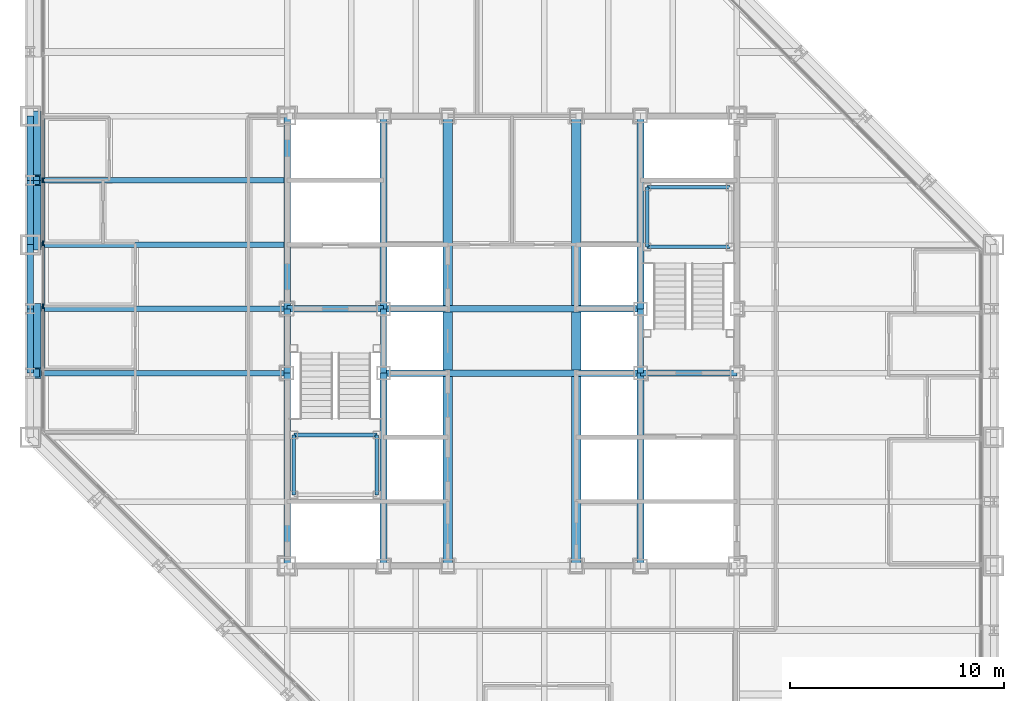
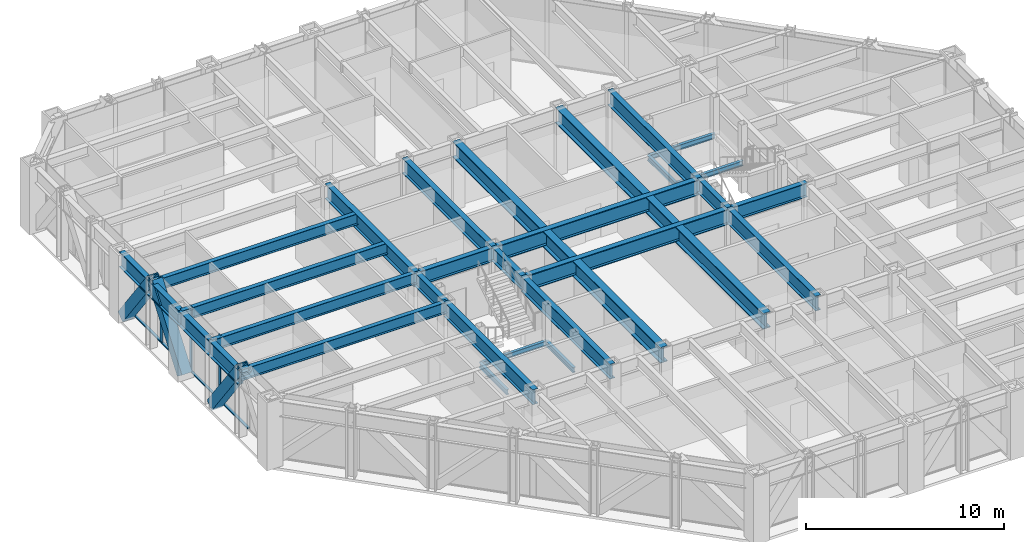
# One storey, part 5 of 16: 33 beams, 10 members, 1 element without a shape of its own.
"""IFC4 building model written with IfcOpenShell, lengths in metres."""

from ifc_helpers import new_model, si_unit, direction, frame, origin, origin_2d, place, context, subcontext, project, spatial, rectangle, hollow_rectangle, i_section, extrude, material, layer, layer_set, material_profile, profile_set, type_object, element, aggregate, save


model = new_model("IFC4")

# Units and contexts
model_context = context("Model", 3, precision=1e-05, world=origin(), true_north=direction((0.0, 1.0)))
body_context = subcontext(model_context, "Body", "Model", "MODEL_VIEW")
ifc_project = project(units=[si_unit("LENGTHUNIT", "METRE"), si_unit("AREAUNIT", "SQUARE_METRE"), si_unit("VOLUMEUNIT", "CUBIC_METRE"), si_unit("PLANEANGLEUNIT", "RADIAN"), si_unit("MASSUNIT", "GRAM", prefix="KILO")], contexts=[model_context])

# Site, building, storey
site_placement = place(None, origin())
site = spatial("IfcSite", under=ifc_project, at=site_placement, CompositionType="ELEMENT")
building_placement = place(site_placement, origin())
building = spatial("IfcBuilding", under=site, at=building_placement, Name="Chuquiago Exchange Tower", CompositionType="ELEMENT")
storey_placement = place(building_placement, frame((0.0, 0.0, 157.199951171875)))
storey = spatial("IfcBuildingStorey", under=building, at=storey_placement, Name="L34", CompositionType="ELEMENT", Elevation=157.199951171875)

# Beams
ifc_material_1 = material(Name="Steel ASTM A992", Category="steel")
ifc_material_profile_1 = material_profile(ifc_material_1, i_section(OverallWidth=0.25390625, OverallDepth=0.683349609375, WebThickness=0.012451171875, FlangeThickness=0.018798828125, at=origin_2d()), Name="W27X94")
ifc_profile_set_1 = profile_set([ifc_material_profile_1], Name="Steel ASTM A992")
beam_type_1 = type_object("IfcBeamType", Name="B1 W27X94", PredefinedType="BEAM", material=ifc_profile_set_1)
for number, where, z_axis, x_axis, name in (
    (1, (12.0, 21.0, 3.698486328125), (-1.0, 0.0, 0.0), (0.0, -1.0, 0.0), "FB-L35-infill-12_21--0_21-0"),
    (2, (12.0, 24.0, 3.698486328125), (-1.0, 0.0, 0.0), (0.0, -1.0, 0.0), "FB-L35-infill-12_24--0_24-0"),
    (3, (12.0, 27.0, 3.698486328125), (-1.0, 0.0, 0.0), (0.0, -1.0, 0.0), "FB-L35-infill-12_27--0_27-0"),
    (4, (12.0, 30.0, 3.698486328125), (-1.0, 0.0, 0.0), (0.0, -1.0, 0.0), "FB-L35-infill-12_30--0_30-0"),
):
    element("IfcBeam", number, at=place(storey_placement, frame(where, z_axis=z_axis, x_axis=x_axis)), inside=storey, type_object=beam_type_1, Name=name, PredefinedType="BEAM", context=body_context, shape_type="SweptSolid", body=[
        extrude(i_section(OverallWidth=0.25390625, OverallDepth=0.683349609375, WebThickness=0.012451171875, FlangeThickness=0.018798828125, at=origin_2d()), origin(), (0.0, 0.0, 1.0), 12.0),
    ])
ifc_material_2 = material(Name="Steel ASTM A992", Category="steel")
ifc_material_profile_2 = material_profile(ifc_material_2, i_section(OverallWidth=0.307373046875, OverallDepth=0.927001953125, WebThickness=0.01953125, FlangeThickness=0.031982421875, at=origin_2d()), Name="W36X194")
ifc_profile_set_2 = profile_set([ifc_material_profile_2], Name="Steel ASTM A992")
beam_type_2 = type_object("IfcBeamType", Name="B10 W36X194", PredefinedType="BEAM", material=ifc_profile_set_2)
for number, where, z_axis, x_axis, name in (
    (5, (12.0, 12.0, 3.57666015625), (0.0, 1.0, 0.0), (-1.0, 0.0, 0.0), "CB-L35-12_12-12_21"),
    (6, (12.0, 24.0, 3.57666015625), (0.0, 1.0, 0.0), (-1.0, 0.0, 0.0), "CB-L35-12_24-12_33"),
    (7, (16.5, 12.0, 3.57666015625), (0.0, 1.0, 0.0), (-1.0, 0.0, 0.0), "CB-L35-16.5_12-16.5_21"),
    (8, (16.5, 24.0, 3.57666015625), (0.0, 1.0, 0.0), (-1.0, 0.0, 0.0), "CB-L35-16.5_24-16.5_33"),
    (9, (28.5, 12.0, 3.57666015625), (0.0, 1.0, 0.0), (-1.0, 0.0, 0.0), "CB-L35-28.5_12-28.5_21"),
    (10, (28.5, 24.0, 3.57666015625), (0.0, 1.0, 0.0), (-1.0, 0.0, 0.0), "CB-L35-28.5_24-28.5_33"),
):
    element("IfcBeam", number, at=place(storey_placement, frame(where, z_axis=z_axis, x_axis=x_axis)), inside=storey, type_object=beam_type_2, Name=name, PredefinedType="BEAM", context=body_context, shape_type="SweptSolid", body=[
        extrude(i_section(OverallWidth=0.307373046875, OverallDepth=0.927001953125, WebThickness=0.01953125, FlangeThickness=0.031982421875, at=origin_2d()), origin(), (0.0, 0.0, 1.0), 9.0),
    ])
ifc_material_3 = material(Name="Steel ASTM A992", Category="steel")
ifc_material_profile_3 = material_profile(ifc_material_3, i_section(OverallWidth=0.309814453125, OverallDepth=0.949951171875, WebThickness=0.0244140625, FlangeThickness=0.0439453125, at=origin_2d()), Name="W36X256")
ifc_profile_set_3 = profile_set([ifc_material_profile_3], Name="Steel ASTM A992")
beam_type_3 = type_object("IfcBeamType", Name="B11 W36X256", PredefinedType="BEAM", material=ifc_profile_set_3)
for number, where, z_axis, x_axis, name in (
    (11, (16.5, 21.0, 3.56494140625), (1.0, 0.0, 0.0), (0.0, 1.0, 0.0), "CB-L35-16.5_21-28.5_21"),
    (12, (16.5, 24.0, 3.56494140625), (1.0, 0.0, 0.0), (0.0, 1.0, 0.0), "CB-L35-16.5_24-28.5_24"),
):
    element("IfcBeam", number, at=place(storey_placement, frame(where, z_axis=z_axis, x_axis=x_axis)), inside=storey, type_object=beam_type_3, Name=name, PredefinedType="BEAM", context=body_context, shape_type="SweptSolid", body=[
        extrude(i_section(OverallWidth=0.309814453125, OverallDepth=0.949951171875, WebThickness=0.0244140625, FlangeThickness=0.0439453125, at=origin_2d()), origin(), (0.0, 0.0, 1.0), 12.0),
    ])
ifc_material_4 = material(Name="Steel ASTM A992", Category="steel")
ifc_material_profile_4 = material_profile(ifc_material_4, i_section(OverallWidth=0.4267578125, OverallDepth=0.975341796875, WebThickness=0.031005859375, FlangeThickness=0.055908203125, at=origin_2d()), Name="W36X395")
ifc_profile_set_4 = profile_set([ifc_material_profile_4], Name="Steel ASTM A992")
beam_type_4 = type_object("IfcBeamType", Name="B12 W36X395", PredefinedType="BEAM", material=ifc_profile_set_4)
beam_1_placement = place(storey_placement, frame((19.5, 12.0, 3.55224609375), z_axis=(0.0, 1.0, 0.0), x_axis=(-1.0, 0.0, 0.0)))
element("IfcBeam", 13, at=beam_1_placement, inside=storey, type_object=beam_type_4, Name="CB-L35-19.5_12-19.5_20.8451", PredefinedType="BEAM", context=body_context, shape_type="SweptSolid", body=[
    extrude(i_section(OverallWidth=0.4267578125, OverallDepth=0.975341796875, WebThickness=0.031005859375, FlangeThickness=0.055908203125, at=origin_2d()), origin(), (0.0, 0.0, 1.0), 8.84521484375),
])
beam_2_placement = place(storey_placement, frame((19.5, 21.15478515625, 3.55224609375), z_axis=(0.0, 1.0, 0.0), x_axis=(-1.0, 0.0, 0.0)))
element("IfcBeam", 14, at=beam_2_placement, inside=storey, type_object=beam_type_4, Name="CB-L35-19.5_21.1549-19.5_23.8451", PredefinedType="BEAM", context=body_context, shape_type="SweptSolid", body=[
    extrude(i_section(OverallWidth=0.4267578125, OverallDepth=0.975341796875, WebThickness=0.031005859375, FlangeThickness=0.055908203125, at=origin_2d()), origin(), (0.0, 0.0, 1.0), 2.6904296875),
])
for number, where, z_axis, x_axis, name in (
    (15, (19.5, 24.15478515625, 3.55224609375), (0.0, 1.0, 0.0), (-1.0, 0.0, 0.0), "CB-L35-19.5_24.1549-19.5_33"),
    (16, (25.5, 12.0, 3.55224609375), (0.0, 1.0, 0.0), (-1.0, 0.0, 0.0), "CB-L35-25.5_12-25.5_20.8451"),
):
    element("IfcBeam", number, at=place(storey_placement, frame(where, z_axis=z_axis, x_axis=x_axis)), inside=storey, type_object=beam_type_4, Name=name, PredefinedType="BEAM", context=body_context, shape_type="SweptSolid", body=[
        extrude(i_section(OverallWidth=0.4267578125, OverallDepth=0.975341796875, WebThickness=0.031005859375, FlangeThickness=0.055908203125, at=origin_2d()), origin(), (0.0, 0.0, 1.0), 8.84521484375),
    ])
beam_3_placement = place(storey_placement, frame((25.5, 21.15478515625, 3.55224609375), z_axis=(0.0, 1.0, 0.0), x_axis=(-1.0, 0.0, 0.0)))
element("IfcBeam", 17, at=beam_3_placement, inside=storey, type_object=beam_type_4, Name="CB-L35-25.5_21.1549-25.5_23.8451", PredefinedType="BEAM", context=body_context, shape_type="SweptSolid", body=[
    extrude(i_section(OverallWidth=0.4267578125, OverallDepth=0.975341796875, WebThickness=0.031005859375, FlangeThickness=0.055908203125, at=origin_2d()), origin(), (0.0, 0.0, 1.0), 2.6904296875),
])
beam_4_placement = place(storey_placement, frame((25.5, 24.15478515625, 3.55224609375), z_axis=(0.0, 1.0, 0.0), x_axis=(-1.0, 0.0, 0.0)))
element("IfcBeam", 18, at=beam_4_placement, inside=storey, type_object=beam_type_4, Name="CB-L35-25.5_24.1549-25.5_33", PredefinedType="BEAM", context=body_context, shape_type="SweptSolid", body=[
    extrude(i_section(OverallWidth=0.4267578125, OverallDepth=0.975341796875, WebThickness=0.031005859375, FlangeThickness=0.055908203125, at=origin_2d()), origin(), (0.0, 0.0, 1.0), 8.84521484375),
])
ifc_material_5 = material(Name="Steel ASTM A992", Category="steel")
ifc_material_profile_5 = material_profile(ifc_material_5, i_section(OverallWidth=0.2919921875, OverallDepth=0.8583984375, WebThickness=0.01708984375, FlangeThickness=0.031005859375, at=origin_2d()), Name="W33X169")
ifc_profile_set_5 = profile_set([ifc_material_profile_5], Name="Steel ASTM A992")
beam_type_5 = type_object("IfcBeamType", Name="B3 W33X169", PredefinedType="BEAM", material=ifc_profile_set_5)
for number, where, z_axis, x_axis, name in (
    (19, (12.0, 21.0, 3.61083984375), (0.0, 1.0, 0.0), (-1.0, 0.0, 0.0), "CB-L35-12_21-12_24"),
    (20, (16.5, 21.0, 3.61083984375), (0.0, 1.0, 0.0), (-1.0, 0.0, 0.0), "CB-L35-16.5_21-16.5_24"),
    (21, (28.5, 21.0, 3.61083984375), (0.0, 1.0, 0.0), (-1.0, 0.0, 0.0), "CB-L35-28.5_21-28.5_24"),
):
    element("IfcBeam", number, at=place(storey_placement, frame(where, z_axis=z_axis, x_axis=x_axis)), inside=storey, type_object=beam_type_5, Name=name, PredefinedType="BEAM", context=body_context, shape_type="SweptSolid", body=[
        extrude(i_section(OverallWidth=0.2919921875, OverallDepth=0.8583984375, WebThickness=0.01708984375, FlangeThickness=0.031005859375, at=origin_2d()), origin(), (0.0, 0.0, 1.0), 3.0),
    ])
for number, where, z_axis, x_axis, name in (
    (22, (28.5, 21.0, 3.61083984375), (1.0, 0.0, 0.0), (0.0, 1.0, 0.0), "CB-L35-28.5_21-33_21"),
    (23, (12.0, 24.0, 3.61083984375), (1.0, 0.0, 0.0), (0.0, 1.0, 0.0), "CB-L35-12_24-16.5_24"),
):
    element("IfcBeam", number, at=place(storey_placement, frame(where, z_axis=z_axis, x_axis=x_axis)), inside=storey, type_object=beam_type_5, Name=name, PredefinedType="BEAM", context=body_context, shape_type="SweptSolid", body=[
        extrude(i_section(OverallWidth=0.2919921875, OverallDepth=0.8583984375, WebThickness=0.01708984375, FlangeThickness=0.031005859375, at=origin_2d()), origin(), (0.0, 0.0, 1.0), 4.5),
    ])

# Curtain wall, members
ifc_material_6 = material(Name="Aluminium curtain wall system", Category="aluminium")
ifc_layer = layer(ifc_material_6, 0.22509765625)
ifc_layer_set = layer_set([ifc_layer], Name="CW2 office curtain wall")
curtain_wall_type = type_object("IfcCurtainWallType", Name="CW2 office curtain wall", PredefinedType="NOTDEFINED", material=ifc_layer_set)
curtain_wall_placement = place(storey_placement, origin())
curtain_wall = element("IfcCurtainWall", 24, at=curtain_wall_placement, inside=storey, type_object=curtain_wall_type, Name="CW2 curtain wall L34", PredefinedType="NOTDEFINED")
ifc_material_7 = material(Name="Aluminium mullion, pale anodised", Category="aluminium")
ifc_material_profile_6 = material_profile(ifc_material_7, rectangle(XDim=0.06494140625, YDim=0.22509765625, at=origin_2d()), Name="AL 65x225")
ifc_profile_set_6 = profile_set([ifc_material_profile_6], Name="Aluminium mullion, pale anodised")
member_type_1 = type_object("IfcMemberType", Name="CW2-M mullion 65x225", PredefinedType="MULLION", material=ifc_profile_set_6)
member_1_placement = place(storey_placement, frame((0.60009765625, 30.0, 0.0), z_axis=(0.0, 0.0, 1.0), x_axis=(1.0, 0.0, 0.0)))
member_1 = element("IfcMember", 25, at=member_1_placement, type_object=member_type_1, Name="CW2 mullion 5", PredefinedType="MULLION", context=body_context, shape_type="SweptSolid", body=[
    extrude(rectangle(XDim=0.06494140625, YDim=0.22509765625, at=origin_2d()), origin(), (0.0, 0.0, 1.0), 4.0400390625),
])
member_2_placement = place(storey_placement, frame((0.60009765625, 27.06201171875, 0.0), z_axis=(0.0, 0.0, 1.0), x_axis=(1.0, 0.0, 0.0)))
member_2 = element("IfcMember", 26, at=member_2_placement, type_object=member_type_1, Name="CW2 mullion 6", PredefinedType="MULLION", context=body_context, shape_type="SweptSolid", body=[
    extrude(rectangle(XDim=0.06494140625, YDim=0.22509765625, at=origin_2d()), origin(), (0.0, 0.0, 1.0), 4.0400390625),
])
member_3_placement = place(storey_placement, frame((0.60009765625, 24.124267578125, 0.0), z_axis=(0.0, 0.0, 1.0), x_axis=(1.0, 0.0, 0.0)))
member_3 = element("IfcMember", 27, at=member_3_placement, type_object=member_type_1, Name="CW2 mullion 7", PredefinedType="MULLION", context=body_context, shape_type="SweptSolid", body=[
    extrude(rectangle(XDim=0.06494140625, YDim=0.22509765625, at=origin_2d()), origin(), (0.0, 0.0, 1.0), 4.0400390625),
])
ifc_material_8 = material(Name="Aluminium transom, pale anodised", Category="aluminium")
ifc_material_profile_7 = material_profile(ifc_material_8, rectangle(XDim=0.139892578125, YDim=0.06494140625, at=origin_2d()), Name="AL 140x65")
ifc_profile_set_7 = profile_set([ifc_material_profile_7], Name="Aluminium transom, pale anodised")
member_type_2 = type_object("IfcMemberType", Name="CW2-T transom 65x140", PredefinedType="MULLION", material=ifc_profile_set_7)
member_4_placement = place(storey_placement, frame((0.60009765625, 32.9052734375, 0.032470703125), z_axis=(0.0, -1.0, 0.0), x_axis=(1.0, 0.0, 0.0)))
member_4 = element("IfcMember", 28, at=member_4_placement, type_object=member_type_2, Name="CW2 transom 4.1", PredefinedType="MULLION", context=body_context, shape_type="SweptSolid", body=[
    extrude(rectangle(XDim=0.139892578125, YDim=0.06494140625, at=origin_2d()), origin(), (0.0, 0.0, 1.0), 2.872802734375),
])
member_5_placement = place(storey_placement, frame((0.60009765625, 29.967529296875, 0.032470703125), z_axis=(0.0, -1.0, 0.0), x_axis=(1.0, 0.0, 0.0)))
member_5 = element("IfcMember", 29, at=member_5_placement, type_object=member_type_2, Name="CW2 transom 5.1", PredefinedType="MULLION", context=body_context, shape_type="SweptSolid", body=[
    extrude(rectangle(XDim=0.139892578125, YDim=0.06494140625, at=origin_2d()), origin(), (0.0, 0.0, 1.0), 2.872802734375),
])
member_6_placement = place(storey_placement, frame((0.60009765625, 27.029541015625, 0.032470703125), z_axis=(0.0, -1.0, 0.0), x_axis=(1.0, 0.0, 0.0)))
member_6 = element("IfcMember", 30, at=member_6_placement, type_object=member_type_2, Name="CW2 transom 6.1", PredefinedType="MULLION", context=body_context, shape_type="SweptSolid", body=[
    extrude(rectangle(XDim=0.139892578125, YDim=0.06494140625, at=origin_2d()), origin(), (0.0, 0.0, 1.0), 2.872802734375),
])
member_7_placement = place(storey_placement, frame((0.60009765625, 24.091796875, 0.032470703125), z_axis=(0.0, -1.0, 0.0), x_axis=(1.0, 0.0, 0.0)))
member_7 = element("IfcMember", 31, at=member_7_placement, type_object=member_type_2, Name="CW2 transom 7.1", PredefinedType="MULLION", context=body_context, shape_type="SweptSolid", body=[
    extrude(rectangle(XDim=0.139892578125, YDim=0.06494140625, at=origin_2d()), origin(), (0.0, 0.0, 1.0), 2.872802734375),
])
aggregate(curtain_wall, [member_1, member_2, member_3, member_4, member_5, member_6, member_7])

# Beams
ifc_material_9 = material(Name="Steel ASTM A992", Category="steel")
ifc_material_profile_8 = material_profile(ifc_material_9, i_section(OverallWidth=0.164794921875, OverallDepth=0.309814453125, WebThickness=0.005859375, FlangeThickness=0.009765625, at=origin_2d()), Name="W12X26")
ifc_profile_set_8 = profile_set([ifc_material_profile_8], Name="Steel ASTM A992")
beam_type_6 = type_object("IfcBeamType", Name="LS1 W12X26", PredefinedType="BEAM", material=ifc_profile_set_8)
for number, where, z_axis, x_axis, name in (
    (32, (12.31005859375, 15.31005859375, 1.7451171875), (0.0, 1.0, 0.0), (-1.0, 0.0, 0.0), "Stair ST1 L34 landing 1 stringer"),
    (33, (16.18994140625, 15.31005859375, 1.7451171875), (0.0, 1.0, 0.0), (-1.0, 0.0, 0.0), "Stair ST1 L34 landing 1 stringer"),
    (34, (28.81005859375, 26.889892578125, 1.7451171875), (0.0, 1.0, 0.0), (-1.0, 0.0, 0.0), "Stair ST2 L34 landing 1 stringer"),
):
    element("IfcBeam", number, at=place(storey_placement, frame(where, z_axis=z_axis, x_axis=x_axis)), inside=storey, type_object=beam_type_6, Name=name, PredefinedType="BEAM", context=body_context, shape_type="SweptSolid", body=[
        extrude(i_section(OverallWidth=0.164794921875, OverallDepth=0.309814453125, WebThickness=0.005859375, FlangeThickness=0.009765625, at=origin_2d()), origin(), (0.0, 0.0, 1.0), 2.800048828125),
    ])
ifc_material_10 = material(Name="Steel ASTM A992", Category="steel")
ifc_material_profile_9 = material_profile(ifc_material_10, i_section(OverallWidth=0.164794921875, OverallDepth=0.309814453125, WebThickness=0.005859375, FlangeThickness=0.009765625, at=origin_2d()), Name="W12X26")
ifc_profile_set_9 = profile_set([ifc_material_profile_9], Name="Steel ASTM A992")
beam_type_7 = type_object("IfcBeamType", Name="LT1 W12X26", PredefinedType="BEAM", material=ifc_profile_set_9)
for number, where, z_axis, x_axis, name in (
    (35, (12.31005859375, 18.110107421875, 1.7451171875), (1.0, 0.0, 0.0), (0.0, 1.0, 0.0), "Stair ST1 L34 landing 1 trimmer"),
    (36, (28.81005859375, 29.68994140625, 1.7451171875), (1.0, 0.0, 0.0), (0.0, 1.0, 0.0), "Stair ST2 L34 landing 1 trimmer"),
    (37, (28.81005859375, 26.889892578125, 1.7451171875), (1.0, 0.0, 0.0), (0.0, 1.0, 0.0), "Stair ST2 L34 landing 1 trimmer"),
):
    element("IfcBeam", number, at=place(storey_placement, frame(where, z_axis=z_axis, x_axis=x_axis)), inside=storey, type_object=beam_type_7, Name=name, PredefinedType="BEAM", context=body_context, shape_type="SweptSolid", body=[
        extrude(i_section(OverallWidth=0.164794921875, OverallDepth=0.309814453125, WebThickness=0.005859375, FlangeThickness=0.009765625, at=origin_2d()), origin(), (0.0, 0.0, 1.0), 3.8798828125),
    ])

# Members
ifc_material_11 = material(Name="Steel ASTM A572 Grade 50", Category="steel")
ifc_material_profile_10 = material_profile(ifc_material_11, hollow_rectangle(XDim=0.60009765625, YDim=0.60009765625, WallThickness=0.06005859375, at=origin_2d()), Name="BOX600X600X60")
ifc_profile_set_10 = profile_set([ifc_material_profile_10], Name="Steel ASTM A572 Grade 50")
member_type_3 = type_object("IfcMemberType", Name="MB2 BOX600X600X60", PredefinedType="BRACE", material=ifc_profile_set_10)
for number, where, z_axis, x_axis, name in (
    (38, (0.205078125, 33.0, 0.0), (0.0, -0.596173923302, 0.802855312728), (1.0, 0.0, 0.0), "Mega diagonal L34 W face"),
    (39, (0.205078125, 27.0, 0.0), (0.0, 0.596173923302, 0.802855312728), (-1.0, 0.0, 0.0), "Mega diagonal L34 W face"),
    (40, (0.205078125, 24.0, 0.0), (0.0, -0.596173923302, 0.802855312728), (1.0, 0.0, 0.0), "Mega diagonal L34 W face"),
):
    element("IfcMember", number, at=place(storey_placement, frame(where, z_axis=z_axis, x_axis=x_axis)), inside=storey, type_object=member_type_3, Name=name, PredefinedType="BRACE", context=body_context, shape_type="SweptSolid", body=[
        extrude(hollow_rectangle(XDim=0.60009765625, YDim=0.60009765625, WallThickness=0.06005859375, at=origin_2d()), origin(), (0.0, 0.0, 1.0), 5.031982421875),
    ])

# Beams
ifc_material_12 = material(Name="Steel ASTM A992", Category="steel")
ifc_material_profile_11 = material_profile(ifc_material_12, i_section(OverallWidth=0.309814453125, OverallDepth=0.949951171875, WebThickness=0.0244140625, FlangeThickness=0.0439453125, at=origin_2d()), Name="W36X256")
ifc_profile_set_11 = profile_set([ifc_material_profile_11], Name="Steel ASTM A992")
beam_type_8 = type_object("IfcBeamType", Name="SP2 W36X256", PredefinedType="SPANDREL", material=ifc_profile_set_11)
for number, where, z_axis, x_axis, name in (
    (41, (0.0, 33.0, 3.56494140625), (0.0, -1.0, 0.0), (1.0, 0.0, 0.0), "SPB-L35-0_33-0_30"),
    (42, (0.0, 30.0, 3.56494140625), (0.0, -1.0, 0.0), (1.0, 0.0, 0.0), "SPB-L35-0_30-0_27"),
    (43, (0.0, 27.0, 3.56494140625), (0.0, -1.0, 0.0), (1.0, 0.0, 0.0), "SPB-L35-0_27-0_24"),
    (44, (0.0, 24.0, 3.56494140625), (0.0, -1.0, 0.0), (1.0, 0.0, 0.0), "SPB-L35-0_24-0_21"),
):
    element("IfcBeam", number, at=place(storey_placement, frame(where, z_axis=z_axis, x_axis=x_axis)), inside=storey, type_object=beam_type_8, Name=name, PredefinedType="SPANDREL", context=body_context, shape_type="SweptSolid", body=[
        extrude(i_section(OverallWidth=0.309814453125, OverallDepth=0.949951171875, WebThickness=0.0244140625, FlangeThickness=0.0439453125, at=origin_2d()), origin(), (0.0, 0.0, 1.0), 3.0),
    ])

save(model, "model.ifc")
